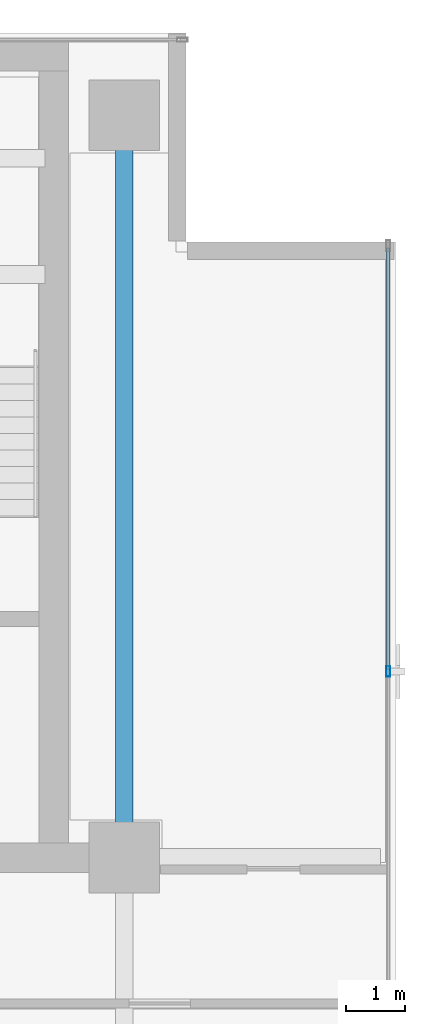
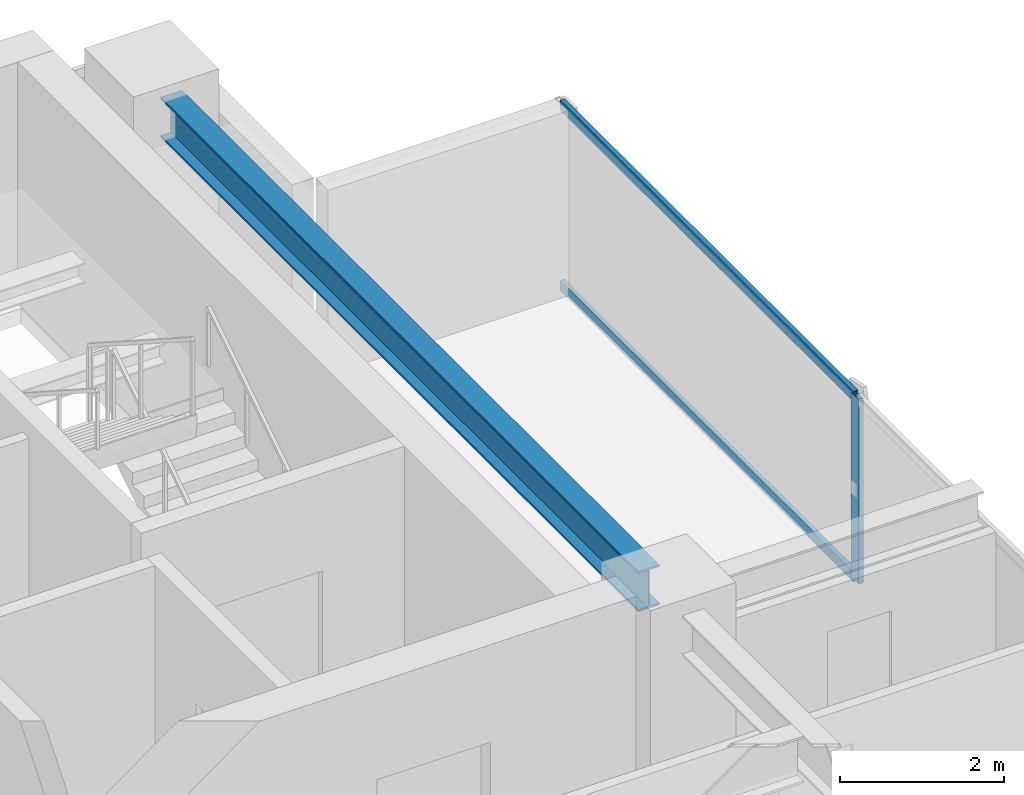
# One storey, part 10 of 22: 3 members, 1 beam, 1 element without a shape of its own.
"""IFC4 building model written with IfcOpenShell, lengths in metres."""

from ifc_helpers import new_model, si_unit, direction, frame, origin, origin_2d, place, context, subcontext, project, spatial, hollow_rectangle, i_section, extrude, source, transform, mapped, material, layer, layer_set, material_profile, profile_set, type_object, element, aggregate, save


model = new_model("IFC4")

# Units and contexts
model_context = context("Model", 3, precision=1e-05, world=origin(), true_north=direction((0.0, 1.0)))
body_context = subcontext(model_context, "Body", "Model", "MODEL_VIEW")
ifc_project = project(units=[si_unit("LENGTHUNIT", "METRE"), si_unit("AREAUNIT", "SQUARE_METRE"), si_unit("VOLUMEUNIT", "CUBIC_METRE"), si_unit("PLANEANGLEUNIT", "RADIAN"), si_unit("MASSUNIT", "GRAM", prefix="KILO")], contexts=[model_context])

# Site, building, storey
site_placement = place(None, origin())
site = spatial("IfcSite", under=ifc_project, at=site_placement, CompositionType="ELEMENT")
building_placement = place(site_placement, origin())
building = spatial("IfcBuilding", under=site, at=building_placement, Name="Sumidabori Civic Tower", CompositionType="ELEMENT")
storey_placement = place(building_placement, frame((0.0, 0.0, 279.199951171875)))
storey = spatial("IfcBuildingStorey", under=building, at=storey_placement, Name="L73", CompositionType="ELEMENT", Elevation=279.199951171875)

# Beam
ifc_material_1 = material(Name="Steel SN490", Category="steel")
ifc_material_profile_1 = material_profile(ifc_material_1, i_section(OverallWidth=0.300048828125, OverallDepth=0.60009765625, WebThickness=0.015380859375, FlangeThickness=0.030029296875, at=origin_2d()), Name="HE 600 B")
ifc_profile_set_1 = profile_set([ifc_material_profile_1], Name="Steel SN490")
beam_type = type_object("IfcBeamType", Name="BM-GIRD-600", PredefinedType="BEAM", material=ifc_profile_set_1)
shared_shape_1 = source(origin(), body_context, "Body", "SweptSolid", [
    extrude(i_section(OverallWidth=0.300048828125, OverallDepth=0.60009765625, WebThickness=0.015380859375, FlangeThickness=0.030029296875, at=origin_2d()), origin(), (0.0, 0.0, 1.0), 11.64013671875),
])
beam_placement = place(storey_placement, frame((16.800048828125, 10.679931640625, 3.070068359375), z_axis=(0.0, 1.0, 0.0), x_axis=(-1.0, 0.0, 0.0)))
element("IfcBeam", 1, at=beam_placement, inside=storey, type_object=beam_type, Name="Primary Girder L73 GY-17", PredefinedType="BEAM", context=body_context, shape_type="MappedRepresentation", body=[
    mapped(shared_shape_1, transform((0.0, 0.0, 0.0), x_axis=(1.0, 0.0, 0.0), y_axis=(0.0, 1.0, 0.0), z_axis=(0.0, 0.0, 1.0), scale=1.0)),
])

# Curtain wall, members
ifc_material_2 = material(Name="Anodised Bronze Aluminium AW-6063-T6", Category="aluminium")
ifc_layer = layer(ifc_material_2, 0.179931640625, Name="Anodised Bronze Aluminium AW-6063-T6")
ifc_layer_set = layer_set([ifc_layer], Name="Anodised Bronze Aluminium AW-6063-T6")
curtain_wall_type = type_object("IfcCurtainWallType", Name="CW-SYS-6", PredefinedType="NOTDEFINED", material=ifc_layer_set)
curtain_wall_placement = place(storey_placement, origin())
curtain_wall = element("IfcCurtainWall", 2, at=curtain_wall_placement, inside=storey, type_object=curtain_wall_type, Name="Curtain Wall CW:L73:R04", PredefinedType="NOTDEFINED")
ifc_material_profile_2 = material_profile(ifc_material_2, hollow_rectangle(XDim=0.070068359375, YDim=0.179931640625, WallThickness=0.006103515625, at=origin_2d()), Name="ALU MULLION 180x70")
ifc_profile_set_2 = profile_set([ifc_material_profile_2], Name="Anodised Bronze Aluminium AW-6063-T6")
member_type_1 = type_object("IfcMemberType", Name="CW-MUL-180", PredefinedType="MULLION", material=ifc_profile_set_2)
shared_shape_2 = source(origin(), body_context, "Body", "SweptSolid", [
    extrude(hollow_rectangle(XDim=0.070068359375, YDim=0.179931640625, WallThickness=0.006103515625, at=origin_2d()), origin(), (0.0, 0.0, 1.0), 2.75),
])
member_1_placement = place(storey_placement, frame((21.280029296875, 13.360107421875, 0.0), z_axis=(0.0, 0.0, 1.0), x_axis=(-1.0, 0.0, 0.0)))
member_1 = element("IfcMember", 3, at=member_1_placement, type_object=member_type_1, Name="CW-6 mullion 4", PredefinedType="MULLION", context=body_context, shape_type="MappedRepresentation", body=[
    mapped(shared_shape_2, transform((0.0, 0.0, 0.0), x_axis=(1.0, 0.0, 0.0), y_axis=(0.0, 1.0, 0.0), z_axis=(0.0, 0.0, 1.0), scale=1.0)),
])
ifc_material_profile_3 = material_profile(ifc_material_2, hollow_rectangle(XDim=0.06494140625, YDim=0.14990234375, WallThickness=0.0048828125, at=origin_2d()), Name="ALU TRANSOM 150x65")
ifc_profile_set_3 = profile_set([ifc_material_profile_3], Name="Anodised Bronze Aluminium AW-6063-T6")
member_type_2 = type_object("IfcMemberType", Name="CW-TRN-150", PredefinedType="USERDEFINED", material=ifc_profile_set_3)
shared_shape_3 = source(origin(), body_context, "Body", "SweptSolid", [
    extrude(hollow_rectangle(XDim=0.06494140625, YDim=0.14990234375, WallThickness=0.0048828125, at=origin_2d()), origin(), (0.0, 0.0, 1.0), 7.155029296875),
])
member_2_placement = place(storey_placement, frame((21.280029296875, 13.39501953125, 0.032470703125), z_axis=(0.0, 1.0, 0.0), x_axis=(-1.0, 0.0, 0.0)))
member_2 = element("IfcMember", 4, at=member_2_placement, type_object=member_type_2, Name="CW-6 transom 4.1", ObjectType="TRANSOM", PredefinedType="USERDEFINED", context=body_context, shape_type="MappedRepresentation", body=[
    mapped(shared_shape_3, transform((0.0, 0.0, 0.0), x_axis=(1.0, 0.0, 0.0), y_axis=(0.0, 1.0, 0.0), z_axis=(0.0, 0.0, 1.0), scale=1.0)),
])
member_3_placement = place(storey_placement, frame((21.280029296875, 13.39501953125, 2.717529296875), z_axis=(0.0, 1.0, 0.0), x_axis=(-1.0, 0.0, 0.0)))
member_3 = element("IfcMember", 5, at=member_3_placement, type_object=member_type_2, Name="CW-6 transom 4.2", ObjectType="TRANSOM", PredefinedType="USERDEFINED", context=body_context, shape_type="MappedRepresentation", body=[
    mapped(shared_shape_3, transform((0.0, 0.0, 0.0), x_axis=(1.0, 0.0, 0.0), y_axis=(0.0, 1.0, 0.0), z_axis=(0.0, 0.0, 1.0), scale=1.0)),
])
aggregate(curtain_wall, [member_1, member_2, member_3])

save(model, "model.ifc")
